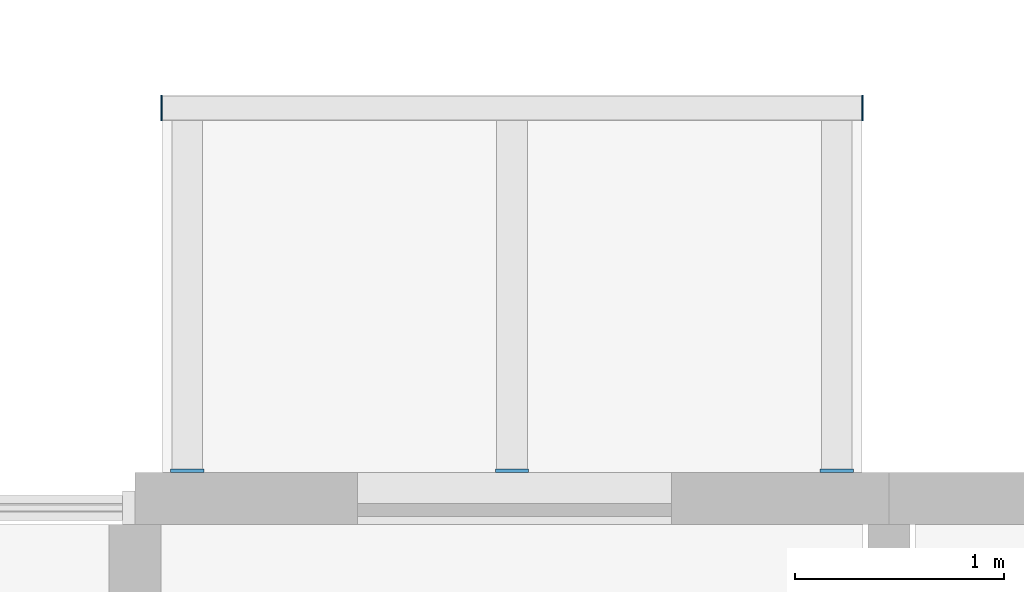
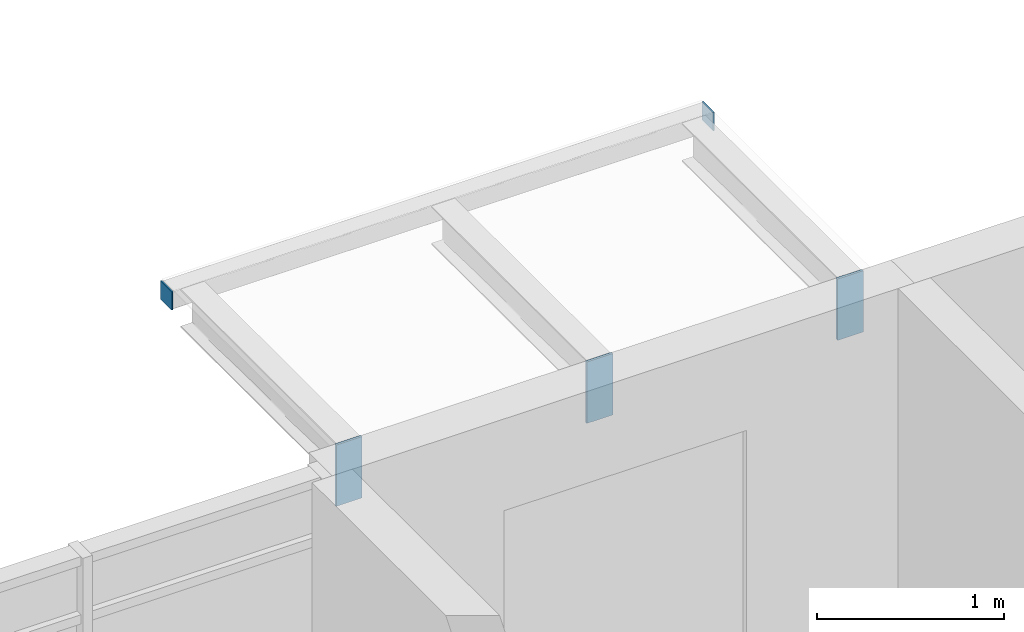
# One storey, part 74 of 98: 5 discrete accessories.
"""IFC4 building model written with IfcOpenShell, lengths in metres."""

from ifc_helpers import new_model, si_unit, direction, frame, origin, origin_2d, place, context, subcontext, project, spatial, rectangle, extrude, material, layer, layer_set, type_object, element, save


model = new_model("IFC4")

# Units and contexts
model_context = context("Model", 3, precision=1e-05, world=origin(), true_north=direction((0.0, 1.0)))
body_context = subcontext(model_context, "Body", "Model", "MODEL_VIEW")
ifc_project = project(units=[si_unit("LENGTHUNIT", "METRE"), si_unit("AREAUNIT", "SQUARE_METRE"), si_unit("VOLUMEUNIT", "CUBIC_METRE"), si_unit("PLANEANGLEUNIT", "RADIAN"), si_unit("MASSUNIT", "GRAM", prefix="KILO")], contexts=[model_context])

# Site, building, storey
site_placement = place(None, origin())
site = spatial("IfcSite", under=ifc_project, at=site_placement, CompositionType="ELEMENT")
building_placement = place(site_placement, origin())
building = spatial("IfcBuilding", under=site, at=building_placement, Name="Ridgestep Commons", CompositionType="ELEMENT")
storey_placement = place(building_placement, frame((0.0, 0.0, 12.0)))
storey = spatial("IfcBuildingStorey", under=building, at=storey_placement, Name="L04", CompositionType="ELEMENT", Elevation=12.0)

# Discrete accessories
ifc_material_1 = material(Name="Weathering steel S355J2W", Category="steel")
ifc_layer_1 = layer(ifc_material_1, 0.014892578125)
ifc_layer_set_1 = layer_set([ifc_layer_1], Name="Tray bracket plate 15")
discrete_accessory_type_1 = type_object("IfcDiscreteAccessoryType", Name="Tray bracket plate 15", PredefinedType="BRACKET", material=ifc_layer_set_1)
for number, where, z_axis, x_axis, name in (
    (1, (186.64990234375, 77.257568359375, 2.588623046875), (0.0, 0.0, 1.0), (1.0, 0.0, 0.0), "Tray bracket C3T3-05.1"),
    (2, (188.199951171875, 77.257568359375, 2.588623046875), (0.0, 0.0, 1.0), (1.0, 0.0, 0.0), "Tray bracket C3T3-05.2"),
    (3, (189.75, 77.257568359375, 2.588623046875), (0.0, 0.0, 1.0), (1.0, 0.0, 0.0), "Tray bracket C3T3-05.3"),
):
    element("IfcDiscreteAccessory", number, at=place(storey_placement, frame(where, z_axis=z_axis, x_axis=x_axis)), inside=storey, type_object=discrete_accessory_type_1, Name=name, PredefinedType="BRACKET", context=body_context, shape_type="SweptSolid", body=[
        extrude(rectangle(XDim=0.159912109375, YDim=0.014892578125, at=origin_2d()), origin(), (0.0, 0.0, 1.0), 0.4013671875),
    ])
ifc_material_2 = material(Name="Weathering steel S355J2W", Category="steel")
ifc_layer_2 = layer(ifc_material_2, 0.008056640625)
ifc_layer_set_2 = layer_set([ifc_layer_2], Name="Tray edge member end plate 120 x 120 x 8")
discrete_accessory_type_2 = type_object("IfcDiscreteAccessoryType", Name="Tray edge member end plate 120 x 120 x 8", PredefinedType="BRACKET", material=ifc_layer_set_2)
for number, where, z_axis, x_axis, name in (
    (4, (186.52587890625, 78.989990234375, 2.869873046875), (0.0, 0.0, 1.0), (1.0, 0.0, 0.0), "Tray edge member end plate C3T3-05 west"),
    (5, (189.8740234375, 78.989990234375, 2.869873046875), (0.0, 0.0, 1.0), (1.0, 0.0, 0.0), "Tray edge member end plate C3T3-05 east"),
):
    element("IfcDiscreteAccessory", number, at=place(storey_placement, frame(where, z_axis=z_axis, x_axis=x_axis)), inside=storey, type_object=discrete_accessory_type_2, Name=name, PredefinedType="BRACKET", context=body_context, shape_type="SweptSolid", body=[
        extrude(rectangle(XDim=0.008056640625, YDim=0.1201171875, at=origin_2d()), origin(), (0.0, 0.0, 1.0), 0.1201171875),
    ])

save(model, "model.ifc")
